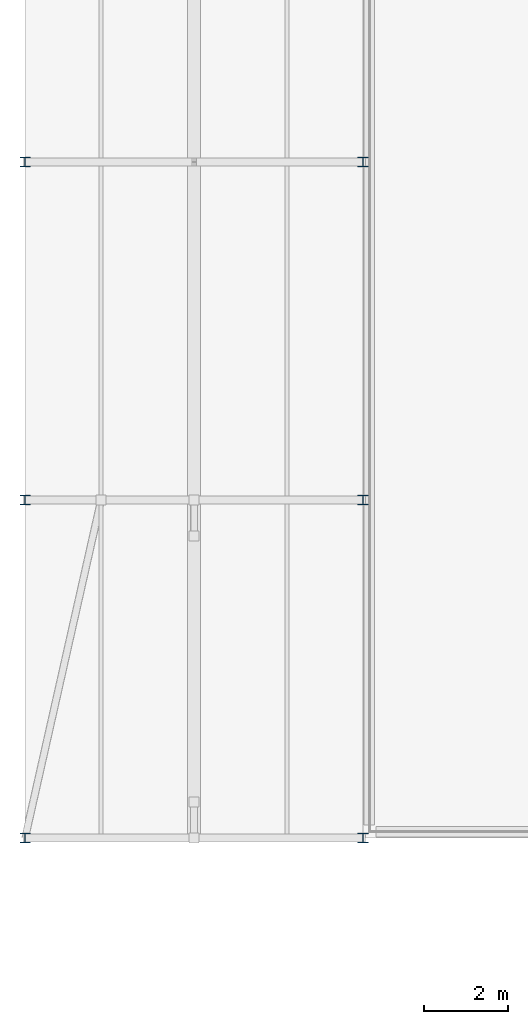
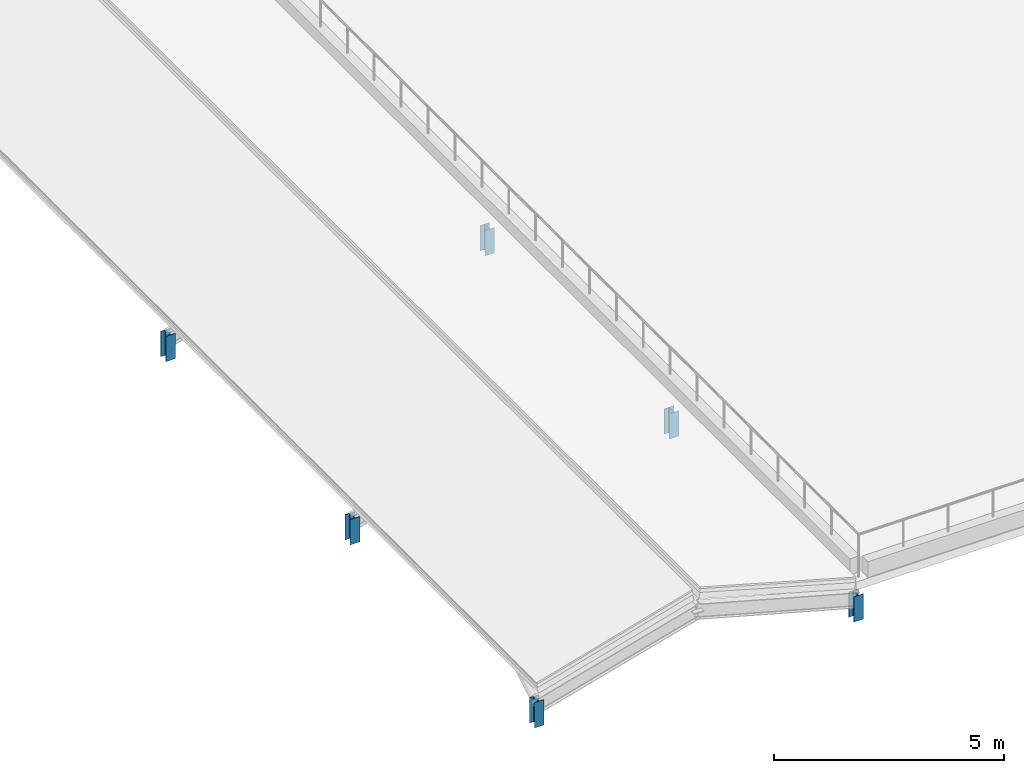
# One storey, part 27 of 67: 6 members.
"""IFC4 building model written with IfcOpenShell, lengths in metres."""

from ifc_helpers import new_model, si_unit, direction, frame, origin, origin_2d, place, context, subcontext, project, spatial, i_section, extrude, material, material_profile, profile_set, type_object, element, save


model = new_model("IFC4")

# Units and contexts
model_context = context("Model", 3, precision=1e-05, world=origin(), true_north=direction((0.0, 1.0)))
body_context = subcontext(model_context, "Body", "Model", "MODEL_VIEW")
ifc_project = project(units=[si_unit("LENGTHUNIT", "METRE"), si_unit("AREAUNIT", "SQUARE_METRE"), si_unit("VOLUMEUNIT", "CUBIC_METRE"), si_unit("PLANEANGLEUNIT", "RADIAN"), si_unit("MASSUNIT", "GRAM", prefix="KILO")], contexts=[model_context])

# Site, building, storey
site_placement = place(None, origin())
site = spatial("IfcSite", under=ifc_project, at=site_placement, CompositionType="ELEMENT")
building_placement = place(site_placement, origin())
building = spatial("IfcBuilding", under=site, at=building_placement, Name="Kenh Van Central Station", CompositionType="ELEMENT")
storey_placement = place(building_placement, frame((0.0, 0.0, 10.800048828125)))
storey = spatial("IfcBuildingStorey", under=building, at=storey_placement, Name="L02", CompositionType="ELEMENT", Elevation=10.800048828125)

# Members
ifc_material = material(Name="Steel S355", Category="steel")
ifc_material_profile = material_profile(ifc_material, i_section(OverallWidth=0.239990234375, OverallDepth=0.22998046875, WebThickness=0.007568359375, FlangeThickness=0.011962890625, FilletRadius=0.02099609375, at=origin_2d()), Name="HEA 240")
ifc_profile_set = profile_set([ifc_material_profile], Name="Steel S355")
member_type = type_object("IfcMemberType", Name="MEM-ROOF-POST240", PredefinedType="POST", material=ifc_profile_set)
for number, where, z_axis, x_axis, name in (
    (1, (0.0, 8.0, -0.949951171875), (0.0, 0.0, 1.0), (1.0, 0.0, 0.0), "L02 roof eave post 127"),
    (2, (8.0, 8.0, -0.949951171875), (0.0, 0.0, 1.0), (1.0, 0.0, 0.0), "L02 roof eave post 127"),
    (3, (0.0, 16.0, -0.949951171875), (0.0, 0.0, 1.0), (1.0, 0.0, 0.0), "L02 roof eave post 129"),
    (4, (8.0, 16.0, -0.949951171875), (0.0, 0.0, 1.0), (1.0, 0.0, 0.0), "L02 roof eave post 129"),
    (5, (0.0, 24.0, -0.949951171875), (0.0, 0.0, 1.0), (1.0, 0.0, 0.0), "L02 roof eave post 131"),
    (6, (8.0, 24.0, -0.949951171875), (0.0, 0.0, 1.0), (1.0, 0.0, 0.0), "L02 roof eave post 131"),
):
    element("IfcMember", number, at=place(storey_placement, frame(where, z_axis=z_axis, x_axis=x_axis)), inside=storey, type_object=member_type, Name=name, PredefinedType="POST", context=body_context, shape_type="SweptSolid", body=[
        extrude(i_section(OverallWidth=0.239990234375, OverallDepth=0.22998046875, WebThickness=0.007568359375, FlangeThickness=0.011962890625, FilletRadius=0.02099609375, at=origin_2d()), origin(), (0.0, 0.0, 1.0), 0.670654296875),
    ])

save(model, "model.ifc")
